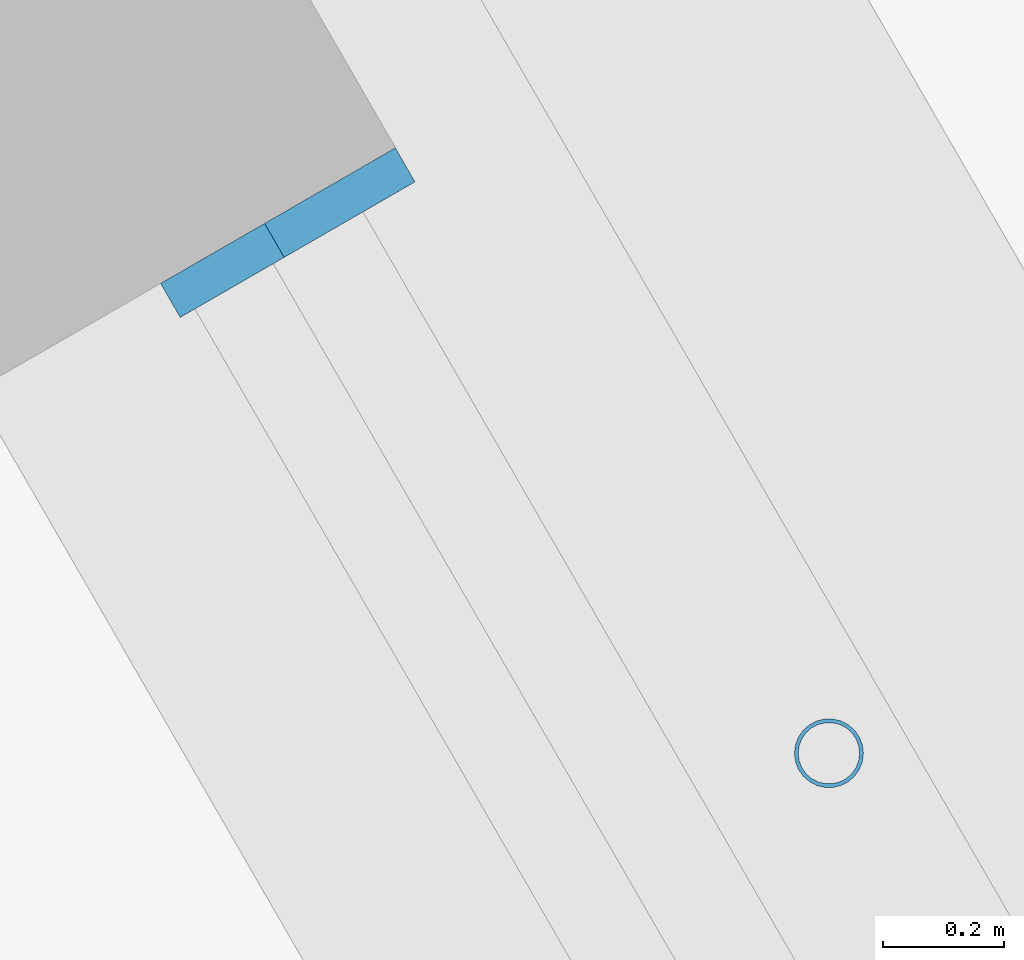
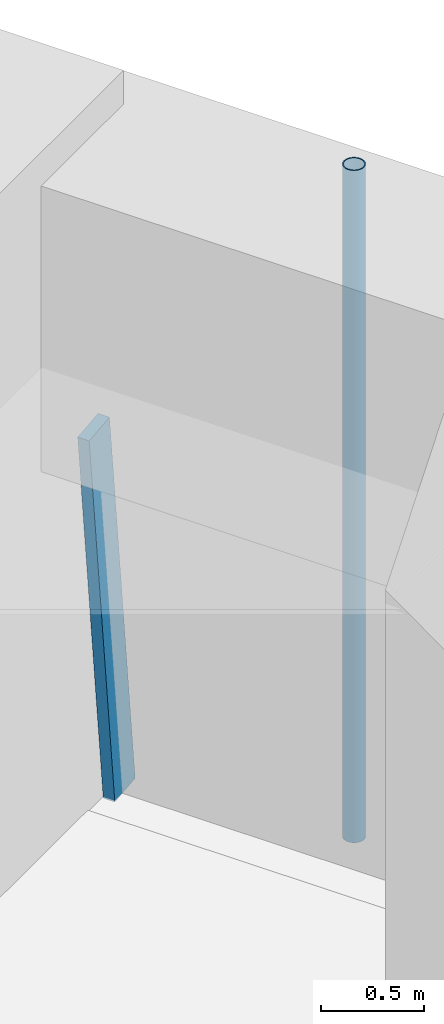
# One storey, part 15 of 24: 2 members, 1 element without a shape of its own.
"""IFC4 building model written with IfcOpenShell, lengths in metres."""

from ifc_helpers import new_model, si_unit, direction, frame, origin, origin_2d, place, context, subcontext, project, spatial, rectangle, hollow_circle, extrude, material, material_profile, profile_set, type_object, element, aggregate, save


model = new_model("IFC4")

# Units and contexts
model_context = context("Model", 3, precision=1e-05, world=origin(), true_north=direction((0.0, 1.0)))
body_context = subcontext(model_context, "Body", "Model", "MODEL_VIEW")
ifc_project = project(units=[si_unit("LENGTHUNIT", "METRE"), si_unit("AREAUNIT", "SQUARE_METRE"), si_unit("VOLUMEUNIT", "CUBIC_METRE"), si_unit("PLANEANGLEUNIT", "RADIAN"), si_unit("MASSUNIT", "GRAM", prefix="KILO")], contexts=[model_context])

# Site, building, storey
site_placement = place(None, origin())
site = spatial("IfcSite", under=ifc_project, at=site_placement, CompositionType="ELEMENT")
building_placement = place(site_placement, origin())
building = spatial("IfcBuilding", under=site, at=building_placement, Name="Tarfa Lantern Tower", CompositionType="ELEMENT")
storey_placement = place(building_placement, frame((0.0, 0.0, 119.5)))
storey = spatial("IfcBuildingStorey", under=building, at=storey_placement, Name="L26", CompositionType="ELEMENT", Elevation=119.5)

# Curtain wall, member
ifc_material_1 = material(Name="Aluminium framed curtain wall", Category="aluminium")
curtain_wall_type = type_object("IfcCurtainWallType", Name="CW2 CANTED GLAZING MID ZONE 2300", PredefinedType="USERDEFINED", material=ifc_material_1)
curtain_wall_placement = place(storey_placement, origin())
curtain_wall = element("IfcCurtainWall", 1, at=curtain_wall_placement, inside=storey, type_object=curtain_wall_type, Name="CW2 NE L26", ObjectType="CURTAIN WALL", PredefinedType="USERDEFINED")
ifc_material_2 = material(Name="Aluminium mullion", Category="aluminium")
ifc_material_profile_1 = material_profile(ifc_material_2, rectangle(XDim=0.06494140625, YDim=0.199951171875, at=origin_2d()), Name="AL MULLION 65x200")
ifc_profile_set_1 = profile_set([ifc_material_profile_1], Name="Aluminium mullion")
member_type_1 = type_object("IfcMemberType", Name="CWM1 MULLION 65x200", PredefinedType="MULLION", material=ifc_profile_set_1)
member_1_placement = place(storey_placement, frame((30.348876953125, 10.234375, 0.0), z_axis=(-0.093599904765, -0.0540283554, 0.994142844183), x_axis=(0.499919672301, -0.866071776036, 0.0)))
member_1 = element("IfcMember", 2, at=member_1_placement, type_object=member_type_1, Name="CW2 mullion 2", PredefinedType="MULLION", context=body_context, shape_type="SweptSolid", body=[
    extrude(rectangle(XDim=0.06494140625, YDim=0.199951171875, at=origin_2d()), origin(), (0.0, 0.0, 1.0), 2.313720703125),
])
aggregate(curtain_wall, [member_1])

# Member
ifc_material_3 = material(Name="Steel S355", Category="steel")
ifc_material_profile_2 = material_profile(ifc_material_3, hollow_circle(Radius=0.05712890625, WallThickness=0.00634765625, at=origin_2d()), Name="CHS114.3x6.3")
ifc_profile_set_2 = profile_set([ifc_material_profile_2], Name="Steel S355")
member_type_2 = type_object("IfcMemberType", Name="TR1 GREEN WALL TRELLIS CHS114.3x6.3", PredefinedType="USERDEFINED", material=ifc_profile_set_2)
member_2_placement = place(storey_placement, frame((31.136474609375, 9.31005859375, 0.0), z_axis=(0.0, 0.0, 1.0), x_axis=(1.0, 0.0, 0.0)))
element("IfcMember", 3, at=member_2_placement, inside=storey, type_object=member_type_2, Name="Trellis post NE 1", ObjectType="TRELLIS", PredefinedType="USERDEFINED", context=body_context, shape_type="SweptSolid", body=[
    extrude(hollow_circle(Radius=0.05712890625, WallThickness=0.00634765625, at=origin_2d()), origin(), (0.0, 0.0, 1.0), 4.0),
])

save(model, "model.ifc")
